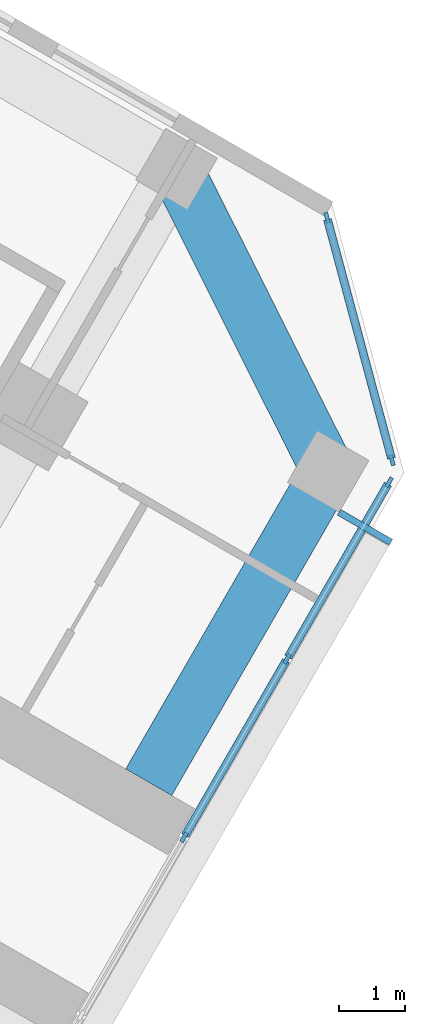
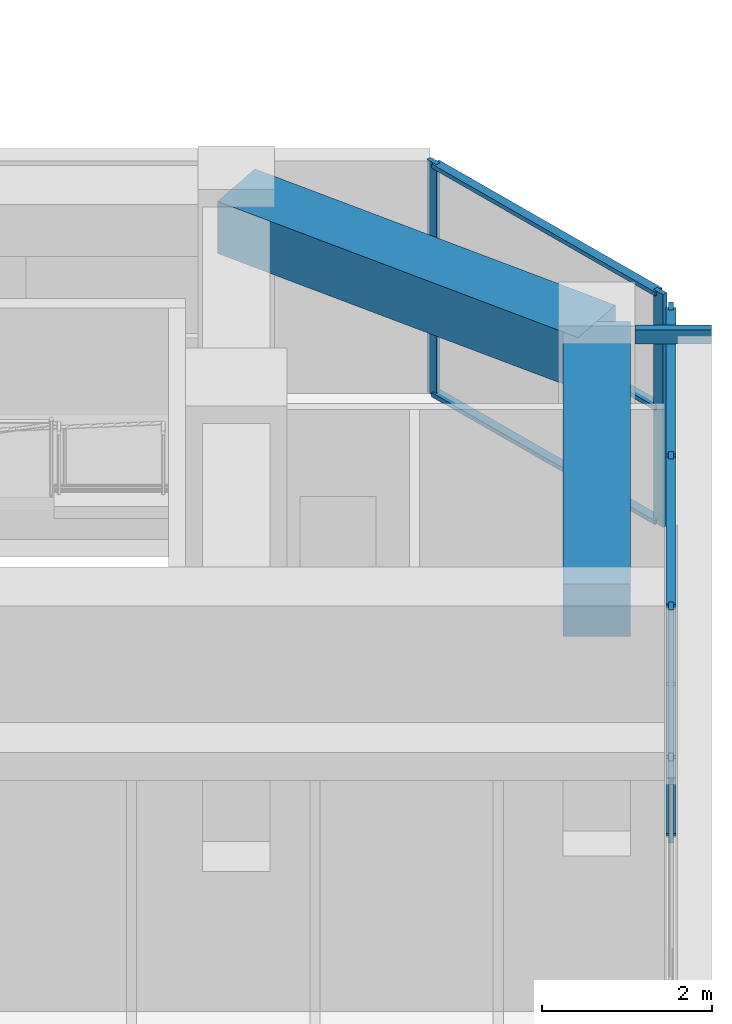
# One storey, part 8 of 19: 13 members, 2 beams, 2 elements without a shape of their own.
"""IFC4 building model written with IfcOpenShell, lengths in metres."""

import ifcopenshell
import ifcopenshell.guid

model = None  # the IFC model being written
_history = None  # IfcOwnerHistory: only IFC2X3 demands one
_inside = {}  # id of a spatial element -> (the spatial element, [elements in it])
_under = {}  # id of a project, library or spatial element -> (it, [spatial elements below it])
_declared = {}  # id of a project -> (the project, [libraries it declares])
_typed = {}  # id of a type object -> (the type object, [elements of that type])
_made_of = {}  # id of a material, layer set ... -> (it, [elements and type objects made of it])


def new_model(schema):
    """Start an empty IFC model of exactly this schema.

    Asked for "IFC4X3", IfcOpenShell would pick the latest addendum, in which some entities
    have other attributes; the version numbers below select the first issue.
    IFC2X3 requires an IfcOwnerHistory on every rooted entity: one is made here for all.
    """
    global model, _history
    if schema == "IFC4X3":
        model = ifcopenshell.file(schema_version=(4, 3, 0, 0))
    else:
        model = ifcopenshell.file(schema=schema)
    _inside.clear()
    _under.clear()
    _declared.clear()
    _typed.clear()
    _made_of.clear()
    _history = None
    if model.schema == "IFC2X3":
        org = make("IfcOrganization", Name="unknown")
        user = make(
            "IfcPersonAndOrganization",
            ThePerson=make("IfcPerson", FamilyName="unknown"),
            TheOrganization=org,
        )
        app = make(
            "IfcApplication",
            ApplicationDeveloper=org,
            Version="unknown",
            ApplicationFullName="unknown",
            ApplicationIdentifier="unknown",
        )
        _history = make(
            "IfcOwnerHistory",
            OwningUser=user,
            OwningApplication=app,
            ChangeAction="ADDED",
            CreationDate=0,
        )
    return model


def make(cls, **values):
    """One entity of the class cls with the attributes given. An attribute that is None is left unset."""
    return model.create_entity(
        cls, **{name: value for name, value in values.items() if value is not None}
    )


def rooted(cls, **values):
    """An entity with a GlobalId (a new one), such as an element, a storey or a relation."""
    return make(cls, GlobalId=ifcopenshell.guid.new(), OwnerHistory=_history, **values)


def si_unit(unit_type, name, prefix=None):
    """IfcSIUnit, for example si_unit("LENGTHUNIT", "METRE", prefix="MILLI")."""
    return make("IfcSIUnit", UnitType=unit_type, Prefix=prefix, Name=name)


def assignment(units):
    """IfcUnitAssignment: the units of a project."""
    return None if units is None else make("IfcUnitAssignment", Units=units)


def point(xyz):
    """IfcCartesianPoint."""
    return None if xyz is None else make("IfcCartesianPoint", Coordinates=xyz)


def direction(xyz):
    """IfcDirection."""
    return None if xyz is None else make("IfcDirection", DirectionRatios=xyz)


def frame(location, z_axis=None, x_axis=None):
    """IfcAxis2Placement3D, a coordinate frame: its origin and axes. An axis left out is left unset."""
    return make(
        "IfcAxis2Placement3D",
        Location=point(location),
        Axis=direction(z_axis),
        RefDirection=direction(x_axis),
    )


def frame_2d(location, x_axis=None):
    """IfcAxis2Placement2D, a coordinate frame in the plane: its origin and x axis."""
    return make(
        "IfcAxis2Placement2D", Location=point(location), RefDirection=direction(x_axis)
    )


def origin():
    """The frame at (0, 0, 0) with its axes left unset."""
    return frame((0.0, 0.0, 0.0))


def origin_2d():
    """The frame at (0, 0) in the plane with its x axis left unset."""
    return frame_2d((0.0, 0.0))


def place(relative_to, where):
    """IfcLocalPlacement: puts the frame where relative to a parent placement (None: the world)."""
    return make(
        "IfcLocalPlacement", PlacementRelTo=relative_to, RelativePlacement=where
    )


def context(
    kind, dimensions, precision=None, world=None, true_north=None, identifier=None
):
    """IfcGeometricRepresentationContext, for example the 3D "Model" context."""
    return make(
        "IfcGeometricRepresentationContext",
        ContextIdentifier=identifier,
        ContextType=kind,
        CoordinateSpaceDimension=dimensions,
        Precision=precision,
        WorldCoordinateSystem=world,
        TrueNorth=true_north,
    )


def subcontext(parent, identifier, kind, view, scale=None):
    """IfcGeometricRepresentationSubContext, for example "Body" below "Model"."""
    return make(
        "IfcGeometricRepresentationSubContext",
        ContextIdentifier=identifier,
        ContextType=kind,
        ParentContext=parent,
        TargetScale=scale,
        TargetView=view,
    )


def project(units=None, contexts=None):
    """IfcProject with its units and contexts."""
    return rooted(
        "IfcProject",
        Name="project",
        RepresentationContexts=contexts,
        UnitsInContext=assignment(units),
    )


def spatial(cls, under=None, at=None, **own):
    """A site, building, storey or space (cls), placed at a placement, below another one or the project."""
    s = rooted(cls, ObjectPlacement=at, **own)
    if under is not None:
        _under.setdefault(under.id(), (under, []))[1].append(s)
    return s


def profile(cls, at=None, kind="AREA", **sizes):
    """A parametric profile (cls). Its sizes go by their IFC names, for example OverallWidth=200.0."""
    return make(cls, ProfileType=kind, Position=at, **sizes)


def rectangle(**sizes):
    """IfcRectangleProfileDef."""
    return profile("IfcRectangleProfileDef", **sizes)


def hollow_rectangle(**sizes):
    """IfcRectangleHollowProfileDef."""
    return profile("IfcRectangleHollowProfileDef", **sizes)


def extrude(swept, where, along, depth):
    """IfcExtrudedAreaSolid: the profile swept, set in the frame where, extruded along a direction by depth."""
    return make(
        "IfcExtrudedAreaSolid",
        SweptArea=swept,
        Position=where,
        ExtrudedDirection=direction(along),
        Depth=depth,
    )


def shape(context_of_items, identifier, shape_type, items):
    """IfcShapeRepresentation: the items that make up one representation, for example the "Body"."""
    return make(
        "IfcShapeRepresentation",
        ContextOfItems=context_of_items,
        RepresentationIdentifier=identifier,
        RepresentationType=shape_type,
        Items=items,
    )


def material(Name=None, Category=None):
    """IfcMaterial."""
    return make("IfcMaterial", Name=Name, Category=Category)


def material_profile(
    of_material, cross_section, Name=None, Category=None, Priority=None
):
    """IfcMaterialProfile: a cross section and its material."""
    return make(
        "IfcMaterialProfile",
        Name=Name,
        Material=of_material,
        Profile=cross_section,
        Priority=Priority,
        Category=Category,
    )


def profile_set(profiles, Name=None, composite=None):
    """IfcMaterialProfileSet."""
    return make(
        "IfcMaterialProfileSet",
        Name=Name,
        MaterialProfiles=profiles,
        CompositeProfile=composite,
    )


def made_of(thing, what):
    """Note that an element or type object is made of a material, layer set ...; save() writes the relation."""
    if what is not None:
        _made_of.setdefault(what.id(), (what, []))[1].append(thing)
    return thing


def type_object(cls, material=None, **own):
    """A type object (cls), such as IfcWallType, which elements share."""
    return made_of(rooted(cls, **own), material)


def element(
    cls,
    number,
    at=None,
    inside=None,
    cuts=None,
    type_object=None,
    material=None,
    context=None,
    identifier="Body",
    shape_type=None,
    held_by="IfcProductDefinitionShape",
    body=None,
    shapes=None,
    **own,
):
    """One element of the class cls, such as IfcWall. Its Tag is "e" and its number.

    at: its placement. inside: the storey or other place that contains it. cuts: it is an
    opening in that element (IfcRelVoidsElement). A single representation is given by context,
    identifier, shape_type and body (its items); several are given by shapes. held_by: the class
    of the entity that holds the representations. save() writes the other relations.
    """
    e = rooted(cls, Tag="e%d" % number, ObjectPlacement=at, **own)
    if body is not None:
        shapes = [shape(context, identifier, shape_type, body)]
    if shapes is not None:
        e.Representation = make(held_by, Representations=shapes)
    if inside is not None:
        _inside.setdefault(inside.id(), (inside, []))[1].append(e)
    if cuts is not None:
        rooted(
            "IfcRelVoidsElement", RelatingBuildingElement=cuts, RelatedOpeningElement=e
        )
    if type_object is not None:
        _typed.setdefault(type_object.id(), (type_object, []))[1].append(e)
    return made_of(e, material)


def aggregate(whole, parts):
    """IfcRelAggregates: a whole, such as a stair, and the parts it consists of."""
    return rooted("IfcRelAggregates", RelatingObject=whole, RelatedObjects=parts)


def save(model, path):
    """Write the relations noted so far, then the file.

    IfcRelAggregates (storeys below a building ...), IfcRelContainedInSpatialStructure (elements
    in a storey), IfcRelDefinesByType, IfcRelAssociatesMaterial and IfcRelDeclares: one each for
    every whole, place, type object, material and project.
    """
    for whole, parts in _under.values():
        aggregate(whole, parts)
    for where, things in _inside.values():
        rooted(
            "IfcRelContainedInSpatialStructure",
            RelatedElements=things,
            RelatingStructure=where,
        )
    for kind, things in _typed.values():
        rooted("IfcRelDefinesByType", RelatedObjects=things, RelatingType=kind)
    for what, things in _made_of.values():
        rooted("IfcRelAssociatesMaterial", RelatedObjects=things, RelatingMaterial=what)
    for by, libraries in _declared.values():
        rooted("IfcRelDeclares", RelatingContext=by, RelatedDefinitions=libraries)
    model.write(path)


model = new_model("IFC4")

# Units and contexts
model_context = context("Model", 3, precision=1e-05, world=origin(), true_north=direction((0.0, 1.0)))
body_context = subcontext(model_context, "Body", "Model", "MODEL_VIEW")
ifc_project = project(units=[si_unit("LENGTHUNIT", "METRE"), si_unit("AREAUNIT", "SQUARE_METRE"), si_unit("VOLUMEUNIT", "CUBIC_METRE"), si_unit("PLANEANGLEUNIT", "RADIAN"), si_unit("MASSUNIT", "GRAM", prefix="KILO")], contexts=[model_context])

# Site, building, storey
site_placement = place(None, origin())
site = spatial("IfcSite", under=ifc_project, at=site_placement, CompositionType="ELEMENT")
building_placement = place(site_placement, origin())
building = spatial("IfcBuilding", under=site, at=building_placement, Name="Kosmar Iwan School Tower", CompositionType="ELEMENT")
storey_placement = place(building_placement, frame((0.0, 0.0, 145.39990234375)))
storey = spatial("IfcBuildingStorey", under=building, at=storey_placement, Name="L36", CompositionType="ELEMENT", Elevation=145.39990234375)

# Member
ifc_material_1 = material(Name="Steel S355", Category="steel")
ifc_material_profile_1 = material_profile(ifc_material_1, hollow_rectangle(XDim=0.10009765625, YDim=0.199951171875, WallThickness=0.008056640625, at=origin_2d()), Name="RHS 200x100x8")
ifc_profile_set_1 = profile_set([ifc_material_profile_1], Name="Steel S355")
member_type_1 = type_object("IfcMemberType", Name="Fin bracket RHS 200x100", PredefinedType="USERDEFINED", material=ifc_profile_set_1)
member_1_placement = place(storey_placement, frame((32.963134765625, -11.006103515625, 3.47509765625), z_axis=(0.866081705922, -0.499902469156, 0.0), x_axis=(0.499902469156, 0.866081705922, 0.0)))
element("IfcMember", 1, at=member_1_placement, inside=storey, type_object=member_type_1, Name="Fin bracket L37", ObjectType="FIN BRACKET", PredefinedType="USERDEFINED", context=body_context, shape_type="SweptSolid", body=[
    extrude(hollow_rectangle(XDim=0.10009765625, YDim=0.199951171875, WallThickness=0.008056640625, at=origin_2d()), origin(), (0.0, 0.0, 1.0), 0.900146484375),
])

# Curtain wall, members
ifc_material_2 = material(Name="Dark glass in black aluminium frame", Category="aluminium")
curtain_wall_type_1 = type_object("IfcCurtainWallType", Name="Tower curtain wall dark glass", PredefinedType="USERDEFINED", material=ifc_material_2)
curtain_wall_1_placement = place(storey_placement, origin())
curtain_wall_1 = element("IfcCurtainWall", 2, at=curtain_wall_1_placement, inside=storey, type_object=curtain_wall_type_1, Name="Curtain wall L36-F03", ObjectType="UNITISED CURTAIN WALL", PredefinedType="USERDEFINED")
ifc_material_3 = material(Name="Black anodised aluminium", Category="aluminium")
ifc_material_profile_2 = material_profile(ifc_material_3, rectangle(XDim=0.06005859375, YDim=0.159912109375, at=origin_2d()), Name="MULLION 60x160")
ifc_profile_set_2 = profile_set([ifc_material_profile_2], Name="Black anodised aluminium")
member_type_2 = type_object("IfcMemberType", Name="Mullion 60x160", PredefinedType="MULLION", material=ifc_profile_set_2)
member_2_placement = place(storey_placement, frame((30.631103515625, -15.8955078125, 0.0), z_axis=(0.0, 0.0, 1.0), x_axis=(-0.866025405329, 0.499999997325, 0.0)))
member_2 = element("IfcMember", 3, at=member_2_placement, type_object=member_type_2, Name="CW1 mullion 4", PredefinedType="MULLION", context=body_context, shape_type="SweptSolid", body=[
    extrude(rectangle(XDim=0.06005859375, YDim=0.159912109375, at=origin_2d()), origin(), (0.0, 0.0, 1.0), 3.35009765625),
])
member_3_placement = place(storey_placement, frame((32.1806640625, -13.21142578125, 0.0), z_axis=(0.0, 0.0, 1.0), x_axis=(-0.866025405329, 0.499999997325, 0.0)))
member_3 = element("IfcMember", 4, at=member_3_placement, type_object=member_type_2, Name="CW1 mullion 5", PredefinedType="MULLION", context=body_context, shape_type="SweptSolid", body=[
    extrude(rectangle(XDim=0.06005859375, YDim=0.159912109375, at=origin_2d()), origin(), (0.0, 0.0, 1.0), 3.35009765625),
])
member_4_placement = place(storey_placement, frame((33.71533203125, -10.55322265625, 0.0), z_axis=(0.0, 0.0, 1.0), x_axis=(-0.866025405329, 0.499999997325, 0.0)))
member_4 = element("IfcMember", 5, at=member_4_placement, type_object=member_type_2, Name="CW1 mullion 6", PredefinedType="MULLION", context=body_context, shape_type="SweptSolid", body=[
    extrude(rectangle(XDim=0.06005859375, YDim=0.159912109375, at=origin_2d()), origin(), (0.0, 0.0, 1.0), 3.35009765625),
])

ifc_material_4 = material(Name="Dark glass in black aluminium frame", Category="aluminium")
curtain_wall_type_2 = type_object("IfcCurtainWallType", Name="Chamfer curtain wall dark glass", PredefinedType="USERDEFINED", material=ifc_material_4)
curtain_wall_2_placement = place(storey_placement, origin())
curtain_wall_2 = element("IfcCurtainWall", 6, at=curtain_wall_2_placement, inside=storey, type_object=curtain_wall_type_2, Name="Curtain wall L36-F04", ObjectType="FACETED CURTAIN WALL", PredefinedType="USERDEFINED")
member_5_placement = place(storey_placement, frame((33.7587890625, -10.2236328125, 0.0), z_axis=(0.0, 0.0, 1.0), x_axis=(-0.965925875495, -0.258818861462, 0.0)))
member_5 = element("IfcMember", 7, at=member_5_placement, type_object=member_type_2, Name="CW2 mullion 1", PredefinedType="MULLION", context=body_context, shape_type="SweptSolid", body=[
    extrude(rectangle(XDim=0.06005859375, YDim=0.159912109375, at=origin_2d()), origin(), (0.0, 0.0, 1.0), 3.35009765625),
])
member_6_placement = place(storey_placement, frame((32.78076171875, -6.5732421875, 0.0), z_axis=(0.0, 0.0, 1.0), x_axis=(-0.965925875495, -0.258818861462, 0.0)))
member_6 = element("IfcMember", 8, at=member_6_placement, type_object=member_type_2, Name="CW2 mullion 2", PredefinedType="MULLION", context=body_context, shape_type="SweptSolid", body=[
    extrude(rectangle(XDim=0.06005859375, YDim=0.159912109375, at=origin_2d()), origin(), (0.0, 0.0, 1.0), 3.35009765625),
])

# Beams
ifc_material_5 = material(Name="Concrete C50/60", Category="concrete")
ifc_material_profile_3 = material_profile(ifc_material_5, rectangle(XDim=0.800048828125, YDim=0.75, at=origin_2d()), Name="RC 800x750")
ifc_profile_set_3 = profile_set([ifc_material_profile_3], Name="Concrete C50/60")
beam_type = type_object("IfcBeamType", Name="RC tip beam 800x750", PredefinedType="BEAM", material=ifc_profile_set_3)
beam_1_placement = place(storey_placement, frame((30.517822265625, -5.841552734375, 2.97509765625), z_axis=(0.44809604203, -0.893985423325, 0.0), x_axis=(0.893985423325, 0.44809604203, 0.0)))
element("IfcBeam", 9, at=beam_1_placement, inside=storey, type_object=beam_type, Name="Tip beam CL", PredefinedType="BEAM", context=body_context, shape_type="SweptSolid", body=[
    extrude(rectangle(XDim=0.800048828125, YDim=0.75, at=origin_2d()), origin(), (0.0, 0.0, 1.0), 5.08935546875),
])
beam_2_placement = place(storey_placement, frame((32.79833984375, -10.391357421875, 2.97509765625), z_axis=(-0.499995103361, -0.866028230842, 0.0), x_axis=(0.866028230842, -0.499995103361, 0.0)))
element("IfcBeam", 10, at=beam_2_placement, inside=storey, type_object=beam_type, Name="Tip beam CL to corridor wall", PredefinedType="BEAM", context=body_context, shape_type="SweptSolid", body=[
    extrude(rectangle(XDim=0.800048828125, YDim=0.75, at=origin_2d()), origin(), (0.0, 0.0, 1.0), 5.39990234375),
])

# Member
ifc_material_6 = material(Name="Black anodised aluminium", Category="aluminium")
ifc_material_profile_4 = material_profile(ifc_material_6, rectangle(XDim=0.1201171875, YDim=0.06005859375, at=origin_2d()), Name="TRANSOM 60x120")
ifc_profile_set_4 = profile_set([ifc_material_profile_4], Name="Black anodised aluminium")
member_type_3 = type_object("IfcMemberType", Name="Transom 60x120", PredefinedType="USERDEFINED", material=ifc_profile_set_4)
member_7_placement = place(storey_placement, frame((30.64599609375, -15.869384765625, 0.030029296875), z_axis=(0.500035348339, 0.866004994449, 0.0), x_axis=(-0.866004994449, 0.500035348339, 0.0)))
member_7 = element("IfcMember", 11, at=member_7_placement, type_object=member_type_3, Name="CW1 transom 4.1", ObjectType="TRANSOM", PredefinedType="USERDEFINED", context=body_context, shape_type="SweptSolid", body=[
    extrude(rectangle(XDim=0.1201171875, YDim=0.06005859375, at=origin_2d()), origin(), (0.0, 0.0, 1.0), 3.039306640625),
])

member_8_placement = place(storey_placement, frame((30.64599609375, -15.869384765625, 3.320068359375), z_axis=(0.500035348339, 0.866004994449, 0.0), x_axis=(-0.866004994449, 0.500035348339, 0.0)))
member_8 = element("IfcMember", 12, at=member_8_placement, type_object=member_type_3, Name="CW1 transom 4.2", ObjectType="TRANSOM", PredefinedType="USERDEFINED", context=body_context, shape_type="SweptSolid", body=[
    extrude(rectangle(XDim=0.1201171875, YDim=0.06005859375, at=origin_2d()), origin(), (0.0, 0.0, 1.0), 3.039306640625),
])

member_9_placement = place(storey_placement, frame((32.19580078125, -13.185302734375, 0.030029296875), z_axis=(0.500022102064, 0.866012642776, 0.0), x_axis=(-0.866012642776, 0.500022102064, 0.0)))
member_9 = element("IfcMember", 13, at=member_9_placement, type_object=member_type_3, Name="CW1 transom 5.1", ObjectType="TRANSOM", PredefinedType="USERDEFINED", context=body_context, shape_type="SweptSolid", body=[
    extrude(rectangle(XDim=0.1201171875, YDim=0.06005859375, at=origin_2d()), origin(), (0.0, 0.0, 1.0), 3.009033203125),
])

member_10_placement = place(storey_placement, frame((32.19580078125, -13.185302734375, 3.320068359375), z_axis=(0.500022102064, 0.866012642776, 0.0), x_axis=(-0.866012642776, 0.500022102064, 0.0)))
member_10 = element("IfcMember", 14, at=member_10_placement, type_object=member_type_3, Name="CW1 transom 5.2", ObjectType="TRANSOM", PredefinedType="USERDEFINED", context=body_context, shape_type="SweptSolid", body=[
    extrude(rectangle(XDim=0.1201171875, YDim=0.06005859375, at=origin_2d()), origin(), (0.0, 0.0, 1.0), 3.009033203125),
])

aggregate(curtain_wall_1, [member_2, member_3, member_4, member_7, member_8, member_9, member_10])

member_11_placement = place(storey_placement, frame((33.7509765625, -10.194580078125, 0.030029296875), z_axis=(-0.258843273983, 0.965919333854, 0.0), x_axis=(-0.965919333854, -0.258843273983, 0.0)))
member_11 = element("IfcMember", 15, at=member_11_placement, type_object=member_type_3, Name="CW2 transom 1.1", ObjectType="TRANSOM", PredefinedType="USERDEFINED", context=body_context, shape_type="SweptSolid", body=[
    extrude(rectangle(XDim=0.1201171875, YDim=0.06005859375, at=origin_2d()), origin(), (0.0, 0.0, 1.0), 3.718994140625),
])

member_12_placement = place(storey_placement, frame((33.7509765625, -10.194580078125, 1.675048828125), z_axis=(-0.258843273983, 0.965919333854, 0.0), x_axis=(-0.965919333854, -0.258843273983, 0.0)))
member_12 = element("IfcMember", 16, at=member_12_placement, type_object=member_type_3, Name="CW2 transom 1.2", ObjectType="TRANSOM", PredefinedType="USERDEFINED", context=body_context, shape_type="SweptSolid", body=[
    extrude(rectangle(XDim=0.1201171875, YDim=0.06005859375, at=origin_2d()), origin(), (0.0, 0.0, 1.0), 3.718994140625),
])

member_13_placement = place(storey_placement, frame((33.7509765625, -10.194580078125, 3.320068359375), z_axis=(-0.258843273983, 0.965919333854, 0.0), x_axis=(-0.965919333854, -0.258843273983, 0.0)))
member_13 = element("IfcMember", 17, at=member_13_placement, type_object=member_type_3, Name="CW2 transom 1.3", ObjectType="TRANSOM", PredefinedType="USERDEFINED", context=body_context, shape_type="SweptSolid", body=[
    extrude(rectangle(XDim=0.1201171875, YDim=0.06005859375, at=origin_2d()), origin(), (0.0, 0.0, 1.0), 3.718994140625),
])

aggregate(curtain_wall_2, [member_5, member_6, member_11, member_12, member_13])

save(model, "model.ifc")
